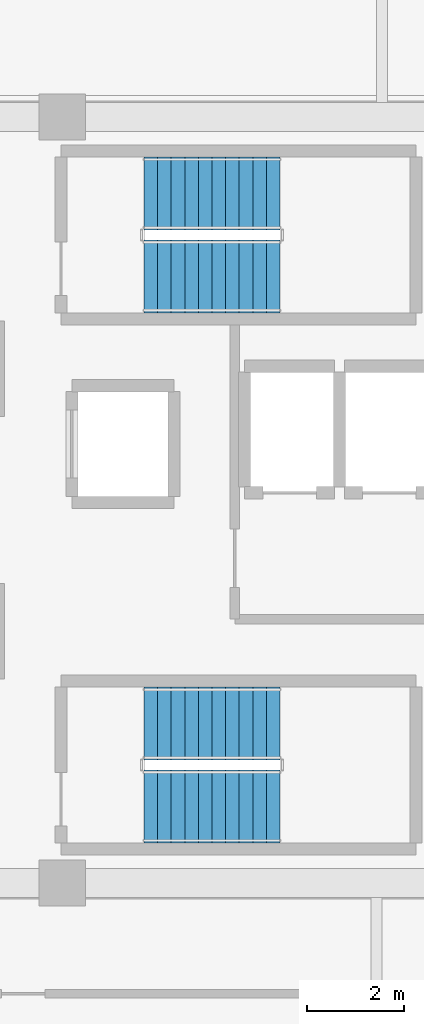
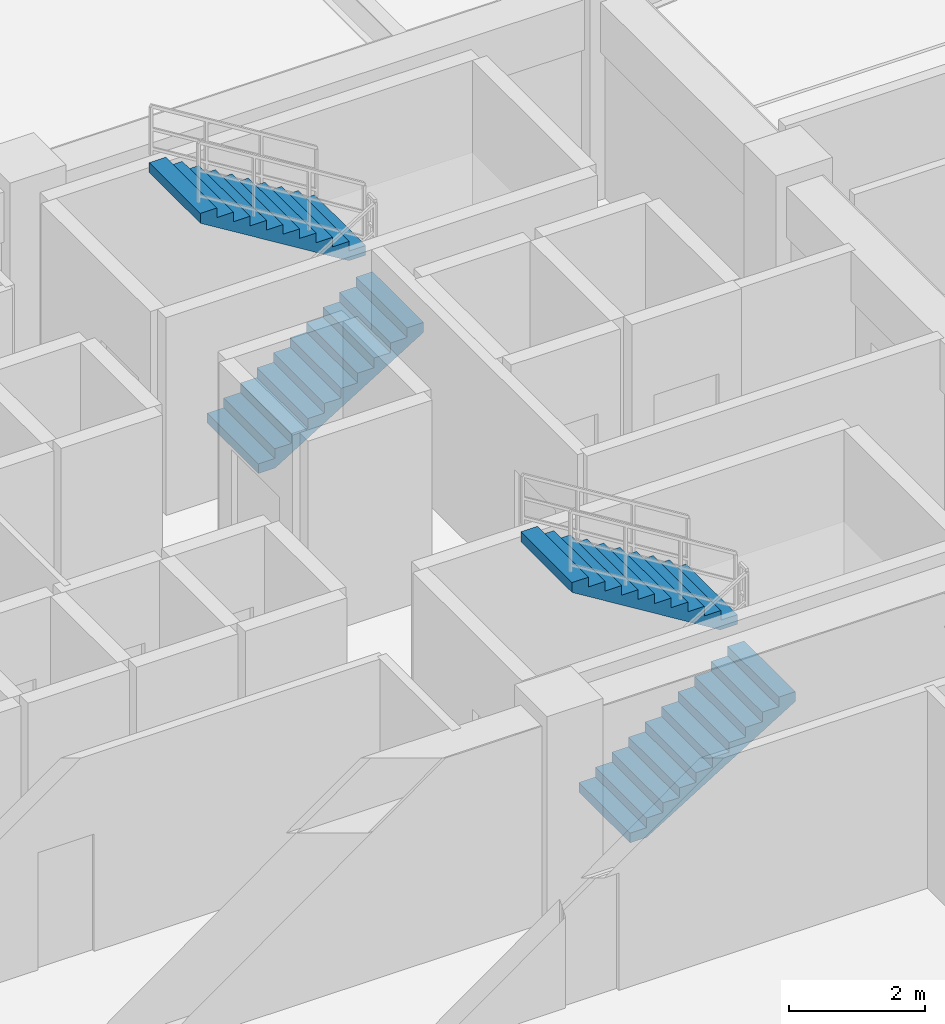
# One storey, part 6 of 9: 4 stair flights, 2 elements without a shape of their own.
"""IFC4 building model written with IfcOpenShell, lengths in metres."""

from ifc_helpers import new_model, si_unit, direction, frame, origin, place, context, subcontext, project, spatial, polyline, outline, extrude, material, type_object, element, aggregate, save


model = new_model("IFC4")

# Units and contexts
model_context = context("Model", 3, precision=1e-05, world=origin(), true_north=direction((0.0, 1.0)))
body_context = subcontext(model_context, "Body", "Model", "MODEL_VIEW")
ifc_project = project(units=[si_unit("LENGTHUNIT", "METRE"), si_unit("AREAUNIT", "SQUARE_METRE"), si_unit("VOLUMEUNIT", "CUBIC_METRE"), si_unit("PLANEANGLEUNIT", "RADIAN"), si_unit("MASSUNIT", "GRAM", prefix="KILO")], contexts=[model_context])

# Site, building, storey
site_placement = place(None, origin())
site = spatial("IfcSite", under=ifc_project, at=site_placement, CompositionType="ELEMENT")
building_placement = place(site_placement, origin())
building = spatial("IfcBuilding", under=site, at=building_placement, Name="Zulverin Broadcast Headquarters", CompositionType="ELEMENT")
storey_placement = place(building_placement, frame((0.0, 0.0, 197.199951171875)))
storey = spatial("IfcBuildingStorey", under=building, at=storey_placement, Name="L50", CompositionType="ELEMENT", Elevation=197.199951171875)

# Stair, stair flights
ifc_material = material(Name="Concrete C40/50", Category="concrete")
stair_type = type_object("IfcStairType", Name="ST-CORE-1500", PredefinedType="HALF_TURN_STAIR", material=ifc_material)
stair_1_placement = place(storey_placement, origin())
stair_1 = element("IfcStair", 1, at=stair_1_placement, inside=storey, type_object=stair_type, Name="L50 Core Exit Stair ST-1", PredefinedType="HALF_TURN_STAIR")
stair_flight_type = type_object("IfcStairFlightType", Name="SF-CORE-1500", PredefinedType="STRAIGHT", material=ifc_material)
stair_flight_1_placement = place(storey_placement, frame((40.1298828125, 29.800048828125, 0.0), z_axis=(0.0, 0.0, 1.0), x_axis=(1.0, 0.0, 0.0)))
stair_flight_1 = element("IfcStairFlight", 2, at=stair_flight_1_placement, type_object=stair_flight_type, Name="ST-1 flight 1", NumberOfRisers=11, NumberOfTreads=10, PredefinedType="STRAIGHT", RiserHeight=0.172727273, TreadLength=0.28, context=body_context, shape_type="SweptSolid", body=[
    extrude(outline(polyline([(0.0, 0.0), (0.0, 0.172607421875), (0.280029296875, 0.172607421875), (0.280029296875, 0.345458984375), (0.56005859375, 0.345458984375), (0.56005859375, 0.51806640625), (0.840087890625, 0.51806640625), (0.840087890625, 0.69091796875), (1.1201171875, 0.69091796875), (1.1201171875, 0.863525390625), (1.39990234375, 0.863525390625), (1.39990234375, 1.036376953125), (1.679931640625, 1.036376953125), (1.679931640625, 1.208984375), (1.9599609375, 1.208984375), (1.9599609375, 1.3818359375), (2.239990234375, 1.3818359375), (2.239990234375, 1.554443359375), (2.52001953125, 1.554443359375), (2.52001953125, 1.727294921875), (2.800048828125, 1.727294921875), (2.800048828125, 1.89990234375), (2.800048828125, 1.551025390625), (0.285400390625, 0.0), (0.0, 0.0)])), frame((0.0, 0.75, 0.0), z_axis=(0.0, -1.0, 0.0), x_axis=(1.0, 0.0, 0.0)), (0.0, 0.0, 1.0), 1.5),
])
stair_flight_2_placement = place(storey_placement, frame((42.929931640625, 31.5, 1.900146484375), z_axis=(0.0, 0.0, 1.0), x_axis=(-1.0, 0.0, 0.0)))
stair_flight_2 = element("IfcStairFlight", 3, at=stair_flight_2_placement, type_object=stair_flight_type, Name="ST-1 flight 2", NumberOfRisers=11, NumberOfTreads=10, PredefinedType="STRAIGHT", RiserHeight=0.172727273, TreadLength=0.28, context=body_context, shape_type="SweptSolid", body=[
    extrude(outline(polyline([(0.0, 0.0), (0.0, 0.172607421875), (0.280029296875, 0.172607421875), (0.280029296875, 0.345458984375), (0.56005859375, 0.345458984375), (0.56005859375, 0.51806640625), (0.840087890625, 0.51806640625), (0.840087890625, 0.69091796875), (1.1201171875, 0.69091796875), (1.1201171875, 0.863525390625), (1.39990234375, 0.863525390625), (1.39990234375, 1.036376953125), (1.679931640625, 1.036376953125), (1.679931640625, 1.208984375), (1.9599609375, 1.208984375), (1.9599609375, 1.3818359375), (2.239990234375, 1.3818359375), (2.239990234375, 1.554443359375), (2.52001953125, 1.554443359375), (2.52001953125, 1.727294921875), (2.800048828125, 1.727294921875), (2.800048828125, 1.89990234375), (2.800048828125, 1.551025390625), (0.285400390625, 0.0), (0.0, 0.0)])), frame((0.0, 0.75, 0.0), z_axis=(0.0, -1.0, 0.0), x_axis=(1.0, 0.0, 0.0)), (0.0, 0.0, 1.0), 1.5),
])
aggregate(stair_1, [stair_flight_1, stair_flight_2])

stair_2_placement = place(storey_placement, origin())
stair_2 = element("IfcStair", 4, at=stair_2_placement, inside=storey, type_object=stair_type, Name="L50 Core Exit Stair ST-2", PredefinedType="HALF_TURN_STAIR")
stair_flight_3_placement = place(storey_placement, frame((40.1298828125, 18.89990234375, 0.0), z_axis=(0.0, 0.0, 1.0), x_axis=(1.0, 0.0, 0.0)))
stair_flight_3 = element("IfcStairFlight", 5, at=stair_flight_3_placement, type_object=stair_flight_type, Name="ST-2 flight 1", NumberOfRisers=11, NumberOfTreads=10, PredefinedType="STRAIGHT", RiserHeight=0.172727273, TreadLength=0.28, context=body_context, shape_type="SweptSolid", body=[
    extrude(outline(polyline([(0.0, 0.0), (0.0, 0.172607421875), (0.280029296875, 0.172607421875), (0.280029296875, 0.345458984375), (0.56005859375, 0.345458984375), (0.56005859375, 0.51806640625), (0.840087890625, 0.51806640625), (0.840087890625, 0.69091796875), (1.1201171875, 0.69091796875), (1.1201171875, 0.863525390625), (1.39990234375, 0.863525390625), (1.39990234375, 1.036376953125), (1.679931640625, 1.036376953125), (1.679931640625, 1.208984375), (1.9599609375, 1.208984375), (1.9599609375, 1.3818359375), (2.239990234375, 1.3818359375), (2.239990234375, 1.554443359375), (2.52001953125, 1.554443359375), (2.52001953125, 1.727294921875), (2.800048828125, 1.727294921875), (2.800048828125, 1.89990234375), (2.800048828125, 1.551025390625), (0.285400390625, 0.0), (0.0, 0.0)])), frame((0.0, 0.75, 0.0), z_axis=(0.0, -1.0, 0.0), x_axis=(1.0, 0.0, 0.0)), (0.0, 0.0, 1.0), 1.5),
])
stair_flight_4_placement = place(storey_placement, frame((42.929931640625, 20.60009765625, 1.900146484375), z_axis=(0.0, 0.0, 1.0), x_axis=(-1.0, 0.0, 0.0)))
stair_flight_4 = element("IfcStairFlight", 6, at=stair_flight_4_placement, type_object=stair_flight_type, Name="ST-2 flight 2", NumberOfRisers=11, NumberOfTreads=10, PredefinedType="STRAIGHT", RiserHeight=0.172727273, TreadLength=0.28, context=body_context, shape_type="SweptSolid", body=[
    extrude(outline(polyline([(0.0, 0.0), (0.0, 0.172607421875), (0.280029296875, 0.172607421875), (0.280029296875, 0.345458984375), (0.56005859375, 0.345458984375), (0.56005859375, 0.51806640625), (0.840087890625, 0.51806640625), (0.840087890625, 0.69091796875), (1.1201171875, 0.69091796875), (1.1201171875, 0.863525390625), (1.39990234375, 0.863525390625), (1.39990234375, 1.036376953125), (1.679931640625, 1.036376953125), (1.679931640625, 1.208984375), (1.9599609375, 1.208984375), (1.9599609375, 1.3818359375), (2.239990234375, 1.3818359375), (2.239990234375, 1.554443359375), (2.52001953125, 1.554443359375), (2.52001953125, 1.727294921875), (2.800048828125, 1.727294921875), (2.800048828125, 1.89990234375), (2.800048828125, 1.551025390625), (0.285400390625, 0.0), (0.0, 0.0)])), frame((0.0, 0.75, 0.0), z_axis=(0.0, -1.0, 0.0), x_axis=(1.0, 0.0, 0.0)), (0.0, 0.0, 1.0), 1.5),
])
aggregate(stair_2, [stair_flight_3, stair_flight_4])

save(model, "model.ifc")
